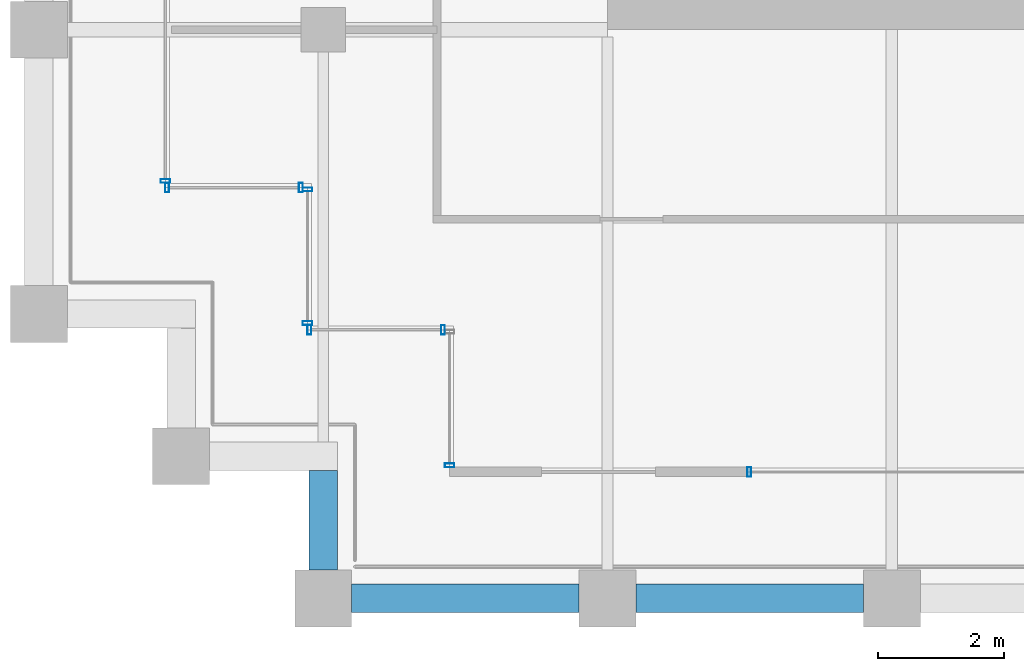
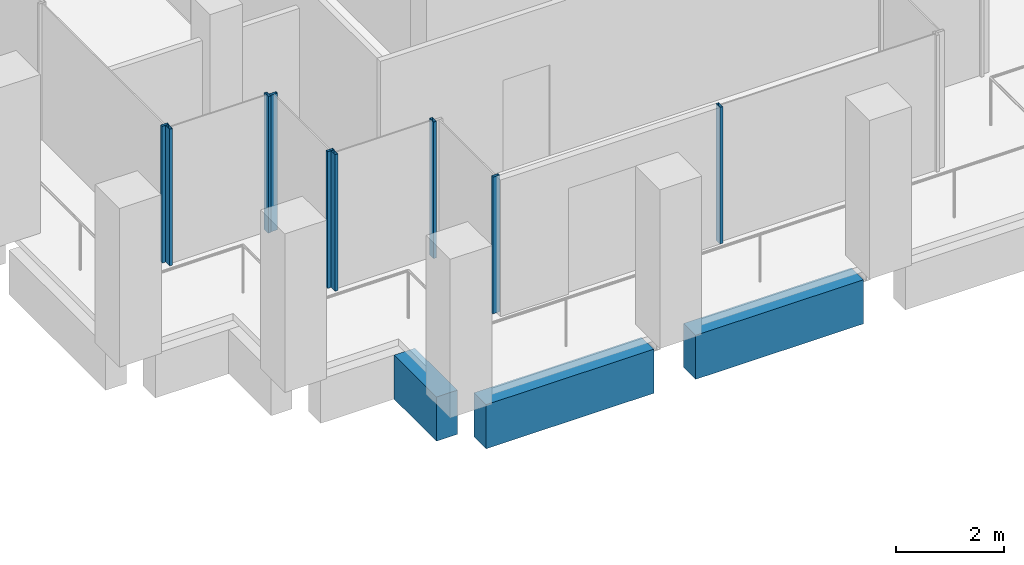
# One storey, part 28 of 40: 9 members, 3 beams, 6 elements without a shape of their own.
"""IFC4 building model written with IfcOpenShell, lengths in metres."""

import ifcopenshell
import ifcopenshell.guid

model = None  # the IFC model being written
_history = None  # IfcOwnerHistory: only IFC2X3 demands one
_inside = {}  # id of a spatial element -> (the spatial element, [elements in it])
_under = {}  # id of a project, library or spatial element -> (it, [spatial elements below it])
_declared = {}  # id of a project -> (the project, [libraries it declares])
_typed = {}  # id of a type object -> (the type object, [elements of that type])
_made_of = {}  # id of a material, layer set ... -> (it, [elements and type objects made of it])


def new_model(schema):
    """Start an empty IFC model of exactly this schema.

    Asked for "IFC4X3", IfcOpenShell would pick the latest addendum, in which some entities
    have other attributes; the version numbers below select the first issue.
    IFC2X3 requires an IfcOwnerHistory on every rooted entity: one is made here for all.
    """
    global model, _history
    if schema == "IFC4X3":
        model = ifcopenshell.file(schema_version=(4, 3, 0, 0))
    else:
        model = ifcopenshell.file(schema=schema)
    _inside.clear()
    _under.clear()
    _declared.clear()
    _typed.clear()
    _made_of.clear()
    _history = None
    if model.schema == "IFC2X3":
        org = make("IfcOrganization", Name="unknown")
        user = make(
            "IfcPersonAndOrganization",
            ThePerson=make("IfcPerson", FamilyName="unknown"),
            TheOrganization=org,
        )
        app = make(
            "IfcApplication",
            ApplicationDeveloper=org,
            Version="unknown",
            ApplicationFullName="unknown",
            ApplicationIdentifier="unknown",
        )
        _history = make(
            "IfcOwnerHistory",
            OwningUser=user,
            OwningApplication=app,
            ChangeAction="ADDED",
            CreationDate=0,
        )
    return model


def make(cls, **values):
    """One entity of the class cls with the attributes given. An attribute that is None is left unset."""
    return model.create_entity(
        cls, **{name: value for name, value in values.items() if value is not None}
    )


def rooted(cls, **values):
    """An entity with a GlobalId (a new one), such as an element, a storey or a relation."""
    return make(cls, GlobalId=ifcopenshell.guid.new(), OwnerHistory=_history, **values)


def si_unit(unit_type, name, prefix=None):
    """IfcSIUnit, for example si_unit("LENGTHUNIT", "METRE", prefix="MILLI")."""
    return make("IfcSIUnit", UnitType=unit_type, Prefix=prefix, Name=name)


def assignment(units):
    """IfcUnitAssignment: the units of a project."""
    return None if units is None else make("IfcUnitAssignment", Units=units)


def point(xyz):
    """IfcCartesianPoint."""
    return None if xyz is None else make("IfcCartesianPoint", Coordinates=xyz)


def direction(xyz):
    """IfcDirection."""
    return None if xyz is None else make("IfcDirection", DirectionRatios=xyz)


def frame(location, z_axis=None, x_axis=None):
    """IfcAxis2Placement3D, a coordinate frame: its origin and axes. An axis left out is left unset."""
    return make(
        "IfcAxis2Placement3D",
        Location=point(location),
        Axis=direction(z_axis),
        RefDirection=direction(x_axis),
    )


def frame_2d(location, x_axis=None):
    """IfcAxis2Placement2D, a coordinate frame in the plane: its origin and x axis."""
    return make(
        "IfcAxis2Placement2D", Location=point(location), RefDirection=direction(x_axis)
    )


def origin():
    """The frame at (0, 0, 0) with its axes left unset."""
    return frame((0.0, 0.0, 0.0))


def origin_2d():
    """The frame at (0, 0) in the plane with its x axis left unset."""
    return frame_2d((0.0, 0.0))


def place(relative_to, where):
    """IfcLocalPlacement: puts the frame where relative to a parent placement (None: the world)."""
    return make(
        "IfcLocalPlacement", PlacementRelTo=relative_to, RelativePlacement=where
    )


def context(
    kind, dimensions, precision=None, world=None, true_north=None, identifier=None
):
    """IfcGeometricRepresentationContext, for example the 3D "Model" context."""
    return make(
        "IfcGeometricRepresentationContext",
        ContextIdentifier=identifier,
        ContextType=kind,
        CoordinateSpaceDimension=dimensions,
        Precision=precision,
        WorldCoordinateSystem=world,
        TrueNorth=true_north,
    )


def subcontext(parent, identifier, kind, view, scale=None):
    """IfcGeometricRepresentationSubContext, for example "Body" below "Model"."""
    return make(
        "IfcGeometricRepresentationSubContext",
        ContextIdentifier=identifier,
        ContextType=kind,
        ParentContext=parent,
        TargetScale=scale,
        TargetView=view,
    )


def project(units=None, contexts=None):
    """IfcProject with its units and contexts."""
    return rooted(
        "IfcProject",
        Name="project",
        RepresentationContexts=contexts,
        UnitsInContext=assignment(units),
    )


def spatial(cls, under=None, at=None, **own):
    """A site, building, storey or space (cls), placed at a placement, below another one or the project."""
    s = rooted(cls, ObjectPlacement=at, **own)
    if under is not None:
        _under.setdefault(under.id(), (under, []))[1].append(s)
    return s


def profile(cls, at=None, kind="AREA", **sizes):
    """A parametric profile (cls). Its sizes go by their IFC names, for example OverallWidth=200.0."""
    return make(cls, ProfileType=kind, Position=at, **sizes)


def rectangle(**sizes):
    """IfcRectangleProfileDef."""
    return profile("IfcRectangleProfileDef", **sizes)


def hollow_rectangle(**sizes):
    """IfcRectangleHollowProfileDef."""
    return profile("IfcRectangleHollowProfileDef", **sizes)


def extrude(swept, where, along, depth):
    """IfcExtrudedAreaSolid: the profile swept, set in the frame where, extruded along a direction by depth."""
    return make(
        "IfcExtrudedAreaSolid",
        SweptArea=swept,
        Position=where,
        ExtrudedDirection=direction(along),
        Depth=depth,
    )


def shape(context_of_items, identifier, shape_type, items):
    """IfcShapeRepresentation: the items that make up one representation, for example the "Body"."""
    return make(
        "IfcShapeRepresentation",
        ContextOfItems=context_of_items,
        RepresentationIdentifier=identifier,
        RepresentationType=shape_type,
        Items=items,
    )


def material(Name=None, Category=None):
    """IfcMaterial."""
    return make("IfcMaterial", Name=Name, Category=Category)


def material_profile(
    of_material, cross_section, Name=None, Category=None, Priority=None
):
    """IfcMaterialProfile: a cross section and its material."""
    return make(
        "IfcMaterialProfile",
        Name=Name,
        Material=of_material,
        Profile=cross_section,
        Priority=Priority,
        Category=Category,
    )


def profile_set(profiles, Name=None, composite=None):
    """IfcMaterialProfileSet."""
    return make(
        "IfcMaterialProfileSet",
        Name=Name,
        MaterialProfiles=profiles,
        CompositeProfile=composite,
    )


def made_of(thing, what):
    """Note that an element or type object is made of a material, layer set ...; save() writes the relation."""
    if what is not None:
        _made_of.setdefault(what.id(), (what, []))[1].append(thing)
    return thing


def type_object(cls, material=None, **own):
    """A type object (cls), such as IfcWallType, which elements share."""
    return made_of(rooted(cls, **own), material)


def element(
    cls,
    number,
    at=None,
    inside=None,
    cuts=None,
    type_object=None,
    material=None,
    context=None,
    identifier="Body",
    shape_type=None,
    held_by="IfcProductDefinitionShape",
    body=None,
    shapes=None,
    **own,
):
    """One element of the class cls, such as IfcWall. Its Tag is "e" and its number.

    at: its placement. inside: the storey or other place that contains it. cuts: it is an
    opening in that element (IfcRelVoidsElement). A single representation is given by context,
    identifier, shape_type and body (its items); several are given by shapes. held_by: the class
    of the entity that holds the representations. save() writes the other relations.
    """
    e = rooted(cls, Tag="e%d" % number, ObjectPlacement=at, **own)
    if body is not None:
        shapes = [shape(context, identifier, shape_type, body)]
    if shapes is not None:
        e.Representation = make(held_by, Representations=shapes)
    if inside is not None:
        _inside.setdefault(inside.id(), (inside, []))[1].append(e)
    if cuts is not None:
        rooted(
            "IfcRelVoidsElement", RelatingBuildingElement=cuts, RelatedOpeningElement=e
        )
    if type_object is not None:
        _typed.setdefault(type_object.id(), (type_object, []))[1].append(e)
    return made_of(e, material)


def aggregate(whole, parts):
    """IfcRelAggregates: a whole, such as a stair, and the parts it consists of."""
    return rooted("IfcRelAggregates", RelatingObject=whole, RelatedObjects=parts)


def save(model, path):
    """Write the relations noted so far, then the file.

    IfcRelAggregates (storeys below a building ...), IfcRelContainedInSpatialStructure (elements
    in a storey), IfcRelDefinesByType, IfcRelAssociatesMaterial and IfcRelDeclares: one each for
    every whole, place, type object, material and project.
    """
    for whole, parts in _under.values():
        aggregate(whole, parts)
    for where, things in _inside.values():
        rooted(
            "IfcRelContainedInSpatialStructure",
            RelatedElements=things,
            RelatingStructure=where,
        )
    for kind, things in _typed.values():
        rooted("IfcRelDefinesByType", RelatedObjects=things, RelatingType=kind)
    for what, things in _made_of.values():
        rooted("IfcRelAssociatesMaterial", RelatedObjects=things, RelatingMaterial=what)
    for by, libraries in _declared.values():
        rooted("IfcRelDeclares", RelatingContext=by, RelatedDefinitions=libraries)
    model.write(path)


model = new_model("IFC4")

# Units and contexts
model_context = context("Model", 3, precision=1e-05, world=origin(), true_north=direction((0.0, 1.0)))
body_context = subcontext(model_context, "Body", "Model", "MODEL_VIEW")
ifc_project = project(units=[si_unit("LENGTHUNIT", "METRE"), si_unit("AREAUNIT", "SQUARE_METRE"), si_unit("VOLUMEUNIT", "CUBIC_METRE"), si_unit("PLANEANGLEUNIT", "RADIAN"), si_unit("MASSUNIT", "GRAM", prefix="KILO")], contexts=[model_context])

# Site, building, storey
site_placement = place(None, origin())
site = spatial("IfcSite", under=ifc_project, at=site_placement, CompositionType="ELEMENT")
building_placement = place(site_placement, origin())
building = spatial("IfcBuilding", under=site, at=building_placement, Name="Altepetl Exchange Towers", CompositionType="ELEMENT")
storey_placement = place(building_placement, frame((0.0, 0.0, 154.60009765625)))
storey = spatial("IfcBuildingStorey", under=building, at=storey_placement, Name="L38", CompositionType="ELEMENT", Elevation=154.60009765625)

# Curtain wall, member
ifc_material_1 = material(Name="Aluminium 6063-T6 glazing", Category="aluminium")
curtain_wall_type = type_object("IfcCurtainWallType", Name="Loggia glazing system", PredefinedType="NOTDEFINED", material=ifc_material_1)
curtain_wall_1_placement = place(storey_placement, origin())
curtain_wall_1 = element("IfcCurtainWall", 1, at=curtain_wall_1_placement, inside=storey, type_object=curtain_wall_type, Name="CW1 run", PredefinedType="NOTDEFINED")
ifc_material_2 = material(Name="Aluminium 6063-T6", Category="aluminium")
ifc_material_profile_1 = material_profile(ifc_material_2, hollow_rectangle(XDim=0.06005859375, YDim=0.14990234375, WallThickness=0.0029296875, at=origin_2d()), Name="Mullion 60x150 aluminium")
ifc_profile_set_1 = profile_set([ifc_material_profile_1], Name="Aluminium 6063-T6")
member_type = type_object("IfcMemberType", Name="Mullion 60x150 aluminium", PredefinedType="MULLION", material=ifc_profile_set_1)
member_1_placement = place(storey_placement, frame((101.0, 29.10498046875, 0.0), z_axis=(0.0, 0.0, 1.0), x_axis=(0.0, -1.0, 0.0)))
member_1 = element("IfcMember", 2, at=member_1_placement, type_object=member_type, Name="MU1 mullion", PredefinedType="MULLION", context=body_context, shape_type="SweptSolid", body=[
    extrude(hollow_rectangle(XDim=0.06005859375, YDim=0.14990234375, WallThickness=0.0029296875, at=origin_2d()), origin(), (0.0, 0.0, 1.0), 3.099853515625),
])
aggregate(curtain_wall_1, [member_1])

curtain_wall_2_placement = place(storey_placement, origin())
curtain_wall_2 = element("IfcCurtainWall", 3, at=curtain_wall_2_placement, inside=storey, type_object=curtain_wall_type, Name="CW1 run", PredefinedType="NOTDEFINED")
member_2_placement = place(storey_placement, frame((105.742431640625, 29.0, 0.0)))
member_2 = element("IfcMember", 4, at=member_2_placement, type_object=member_type, Name="MU1 mullion", PredefinedType="MULLION", context=body_context, shape_type="SweptSolid", body=[
    extrude(hollow_rectangle(XDim=0.06005859375, YDim=0.14990234375, WallThickness=0.0029296875, at=origin_2d()), origin(), (0.0, 0.0, 1.0), 3.099853515625),
])
aggregate(curtain_wall_2, [member_2])

curtain_wall_3_placement = place(storey_placement, origin())
curtain_wall_3 = element("IfcCurtainWall", 5, at=curtain_wall_3_placement, inside=storey, type_object=curtain_wall_type, Name="CW1 run", PredefinedType="NOTDEFINED")
member_3_placement = place(storey_placement, frame((96.5, 33.60498046875, 0.0), z_axis=(0.0, 0.0, 1.0), x_axis=(0.0, -1.0, 0.0)))
member_3 = element("IfcMember", 6, at=member_3_placement, type_object=member_type, Name="MU1 mullion", PredefinedType="MULLION", context=body_context, shape_type="SweptSolid", body=[
    extrude(hollow_rectangle(XDim=0.06005859375, YDim=0.14990234375, WallThickness=0.0029296875, at=origin_2d()), origin(), (0.0, 0.0, 1.0), 3.099853515625),
])
aggregate(curtain_wall_3, [member_3])

# Curtain wall, members
curtain_wall_4_placement = place(storey_placement, origin())
curtain_wall_4 = element("IfcCurtainWall", 7, at=curtain_wall_4_placement, inside=storey, type_object=curtain_wall_type, Name="CW1 run", PredefinedType="NOTDEFINED")
member_4_placement = place(storey_placement, frame((96.530029296875, 33.5, 0.0)))
member_4 = element("IfcMember", 8, at=member_4_placement, type_object=member_type, Name="MU1 mullion", PredefinedType="MULLION", context=body_context, shape_type="SweptSolid", body=[
    extrude(hollow_rectangle(XDim=0.06005859375, YDim=0.14990234375, WallThickness=0.0029296875, at=origin_2d()), origin(), (0.0, 0.0, 1.0), 3.099853515625),
])
member_5_placement = place(storey_placement, frame((98.64501953125, 33.5, 0.0)))
member_5 = element("IfcMember", 9, at=member_5_placement, type_object=member_type, Name="MU1 mullion", PredefinedType="MULLION", context=body_context, shape_type="SweptSolid", body=[
    extrude(hollow_rectangle(XDim=0.06005859375, YDim=0.14990234375, WallThickness=0.0029296875, at=origin_2d()), origin(), (0.0, 0.0, 1.0), 3.099853515625),
])
aggregate(curtain_wall_4, [member_4, member_5])

curtain_wall_5_placement = place(storey_placement, origin())
curtain_wall_5 = element("IfcCurtainWall", 10, at=curtain_wall_5_placement, inside=storey, type_object=curtain_wall_type, Name="CW1 run", PredefinedType="NOTDEFINED")
member_6_placement = place(storey_placement, frame((98.75, 33.469970703125, 0.0), z_axis=(0.0, 0.0, 1.0), x_axis=(0.0, -1.0, 0.0)))
member_6 = element("IfcMember", 11, at=member_6_placement, type_object=member_type, Name="MU1 mullion", PredefinedType="MULLION", context=body_context, shape_type="SweptSolid", body=[
    extrude(hollow_rectangle(XDim=0.06005859375, YDim=0.14990234375, WallThickness=0.0029296875, at=origin_2d()), origin(), (0.0, 0.0, 1.0), 3.099853515625),
])
member_7_placement = place(storey_placement, frame((98.75, 31.35498046875, 0.0), z_axis=(0.0, 0.0, 1.0), x_axis=(0.0, -1.0, 0.0)))
member_7 = element("IfcMember", 12, at=member_7_placement, type_object=member_type, Name="MU1 mullion", PredefinedType="MULLION", context=body_context, shape_type="SweptSolid", body=[
    extrude(hollow_rectangle(XDim=0.06005859375, YDim=0.14990234375, WallThickness=0.0029296875, at=origin_2d()), origin(), (0.0, 0.0, 1.0), 3.099853515625),
])
aggregate(curtain_wall_5, [member_6, member_7])

curtain_wall_6_placement = place(storey_placement, origin())
curtain_wall_6 = element("IfcCurtainWall", 13, at=curtain_wall_6_placement, inside=storey, type_object=curtain_wall_type, Name="CW1 run", PredefinedType="NOTDEFINED")
member_8_placement = place(storey_placement, frame((98.780029296875, 31.25, 0.0)))
member_8 = element("IfcMember", 14, at=member_8_placement, type_object=member_type, Name="MU1 mullion", PredefinedType="MULLION", context=body_context, shape_type="SweptSolid", body=[
    extrude(hollow_rectangle(XDim=0.06005859375, YDim=0.14990234375, WallThickness=0.0029296875, at=origin_2d()), origin(), (0.0, 0.0, 1.0), 3.099853515625),
])
member_9_placement = place(storey_placement, frame((100.89501953125, 31.25, 0.0)))
member_9 = element("IfcMember", 15, at=member_9_placement, type_object=member_type, Name="MU1 mullion", PredefinedType="MULLION", context=body_context, shape_type="SweptSolid", body=[
    extrude(hollow_rectangle(XDim=0.06005859375, YDim=0.14990234375, WallThickness=0.0029296875, at=origin_2d()), origin(), (0.0, 0.0, 1.0), 3.099853515625),
])
aggregate(curtain_wall_6, [member_8, member_9])

# Beams
ifc_material_3 = material(Name="Concrete C50/60 precast with tezontle facing", Category="concrete")
ifc_material_profile_2 = material_profile(ifc_material_3, rectangle(XDim=0.449951171875, YDim=1.0, at=origin_2d()), Name="450 x 1000")
ifc_profile_set_2 = profile_set([ifc_material_profile_2], Name="Concrete C50/60 precast with tezontle facing")
beam_type = type_object("IfcBeamType", Name="Spandrel beam 450x1000 tezontle", PredefinedType="SPANDREL", material=ifc_profile_set_2)
for number, where, z_axis, x_axis, name in (
    (16, (99.449951171875, 27.0, -0.650146484375), (1.0, 0.0, 0.0), (0.0, 1.0, 0.0), "sp:B:L38:000"),
    (17, (103.949951171875, 27.0, -0.650146484375), (1.0, 0.0, 0.0), (0.0, 1.0, 0.0), "sp:B:L38:001"),
):
    element("IfcBeam", number, at=place(storey_placement, frame(where, z_axis=z_axis, x_axis=x_axis)), inside=storey, type_object=beam_type, Name=name, PredefinedType="SPANDREL", context=body_context, shape_type="SweptSolid", body=[
        extrude(rectangle(XDim=0.449951171875, YDim=1.0, at=origin_2d()), origin(), (0.0, 0.0, 1.0), 3.60009765625),
    ])
beam_placement = place(storey_placement, frame((99.0, 29.02490234375, -0.650146484375), z_axis=(0.0, -1.0, 0.0), x_axis=(1.0, 0.0, 0.0)))
element("IfcBeam", 18, at=beam_placement, inside=storey, type_object=beam_type, Name="sp:B:L38:023", PredefinedType="SPANDREL", context=body_context, shape_type="SweptSolid", body=[
    extrude(rectangle(XDim=0.449951171875, YDim=1.0, at=origin_2d()), origin(), (0.0, 0.0, 1.0), 1.574951171875),
])

save(model, "model.ifc")
